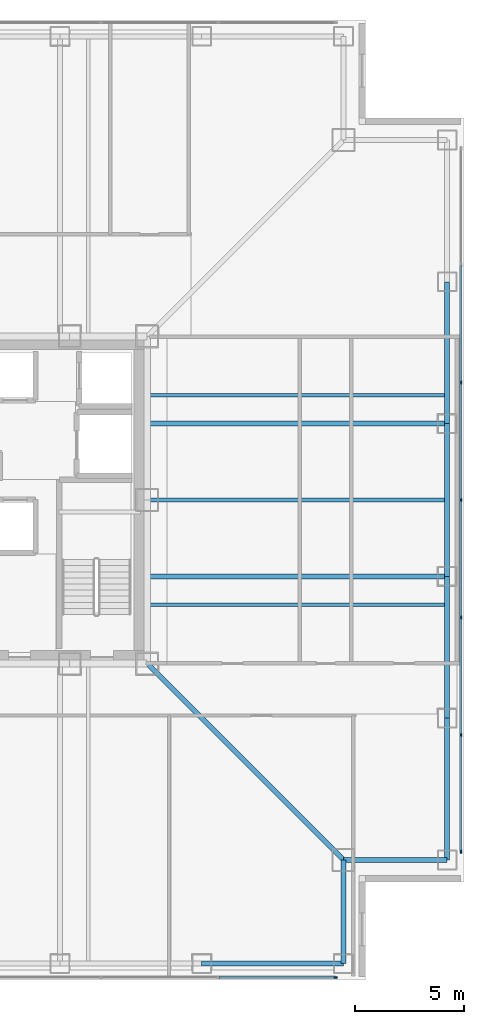
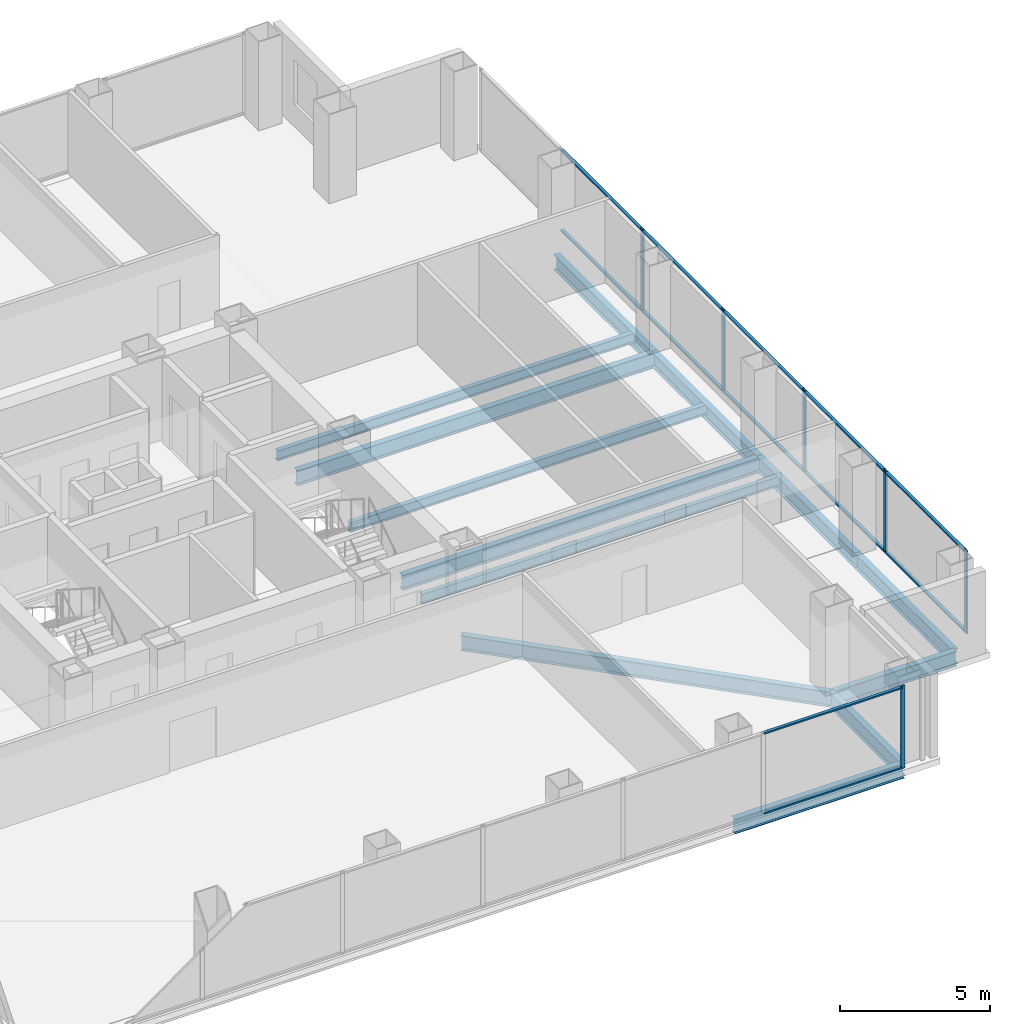
# One storey, part 6 of 14: 18 members, 13 beams, 2 elements without a shape of their own.
"""IFC4 building model written with IfcOpenShell, lengths in metres."""

from ifc_helpers import new_model, si_unit, direction, frame, origin, origin_2d, place, context, subcontext, project, spatial, rectangle, i_section, extrude, material, layer, layer_set, material_profile, profile_set, type_object, element, aggregate, save


model = new_model("IFC4")

# Units and contexts
model_context = context("Model", 3, precision=1e-05, world=origin(), true_north=direction((0.0, 1.0)))
body_context = subcontext(model_context, "Body", "Model", "MODEL_VIEW")
ifc_project = project(units=[si_unit("LENGTHUNIT", "METRE"), si_unit("AREAUNIT", "SQUARE_METRE"), si_unit("VOLUMEUNIT", "CUBIC_METRE"), si_unit("PLANEANGLEUNIT", "RADIAN"), si_unit("MASSUNIT", "GRAM", prefix="KILO")], contexts=[model_context])

# Site, building, storey
site_placement = place(None, origin())
site = spatial("IfcSite", under=ifc_project, at=site_placement, CompositionType="ELEMENT")
building_placement = place(site_placement, origin())
building = spatial("IfcBuilding", under=site, at=building_placement, Name="Trevonay Congress Spire", CompositionType="ELEMENT")
storey_placement = place(building_placement, frame((0.0, 0.0, 140.800048828125)))
storey = spatial("IfcBuildingStorey", under=building, at=storey_placement, Name="L36", CompositionType="ELEMENT", Elevation=140.800048828125)

# Beams
ifc_material_1 = material(Name="Steel ASTM A572 Grade 50", Category="steel")
ifc_material_profile_1 = material_profile(ifc_material_1, i_section(OverallWidth=0.22998046875, OverallDepth=0.616943359375, WebThickness=0.01318359375, FlangeThickness=0.022216796875, FilletRadius=0.01611328125, at=origin_2d()), Name="W610x140")
ifc_profile_set_1 = profile_set([ifc_material_profile_1], Name="Steel ASTM A572 Grade 50")
beam_type_1 = type_object("IfcBeamType", Name="BM-GIRD-W610X140", PredefinedType="BEAM", material=ifc_profile_set_1)
beam_1_placement = place(storey_placement, frame((7.5, -7.5, -0.548583984375), z_axis=(0.707106781187, -0.707106781187, 0.0), x_axis=(0.707106781187, 0.707106781187, 0.0)))
element("IfcBeam", 1, at=beam_1_placement, inside=storey, type_object=beam_type_1, Name="L36 structural beam BM-L36-CDSE", PredefinedType="BEAM", context=body_context, shape_type="SweptSolid", body=[
    extrude(i_section(OverallWidth=0.22998046875, OverallDepth=0.616943359375, WebThickness=0.01318359375, FlangeThickness=0.022216796875, FilletRadius=0.01611328125, at=origin_2d()), origin(), (0.0, 0.0, 1.0), 12.72802734375),
])
for number, where, z_axis, x_axis, name in (
    (2, (7.5, -3.5, -0.548583984375), (1.0, 0.0, 0.0), (0.0, 1.0, 0.0), "L36 structural beam BM-L36-GE-M"),
    (3, (7.5, 3.5, -0.548583984375), (1.0, 0.0, 0.0), (0.0, 1.0, 0.0), "L36 structural beam BM-L36-GE-P"),
):
    element("IfcBeam", number, at=place(storey_placement, frame(where, z_axis=z_axis, x_axis=x_axis)), inside=storey, type_object=beam_type_1, Name=name, PredefinedType="BEAM", context=body_context, shape_type="SweptSolid", body=[
        extrude(i_section(OverallWidth=0.22998046875, OverallDepth=0.616943359375, WebThickness=0.01318359375, FlangeThickness=0.022216796875, FilletRadius=0.01611328125, at=origin_2d()), origin(), (0.0, 0.0, 1.0), 13.75),
    ])
ifc_material_profile_2 = material_profile(ifc_material_1, i_section(OverallWidth=0.22802734375, OverallDepth=0.60791015625, WebThickness=0.01123046875, FlangeThickness=0.017333984375, FilletRadius=0.01611328125, at=origin_2d()), Name="W610x113")
ifc_profile_set_2 = profile_set([ifc_material_profile_2], Name="Steel ASTM A572 Grade 50")
beam_type_2 = type_object("IfcBeamType", Name="BM-RING-W610X113", PredefinedType="BEAM", material=ifc_profile_set_2)
for number, where, z_axis, x_axis, name in (
    (4, (21.25, -16.5, -0.5439453125), (0.0, 1.0, 0.0), (-1.0, 0.0, 0.0), "L36 structural beam BM-L36-PE1"),
    (5, (21.25, -10.0, -0.5439453125), (0.0, 1.0, 0.0), (-1.0, 0.0, 0.0), "L36 structural beam BM-L36-PE2"),
):
    element("IfcBeam", number, at=place(storey_placement, frame(where, z_axis=z_axis, x_axis=x_axis)), inside=storey, type_object=beam_type_2, Name=name, PredefinedType="BEAM", context=body_context, shape_type="SweptSolid", body=[
        extrude(i_section(OverallWidth=0.22802734375, OverallDepth=0.60791015625, WebThickness=0.01123046875, FlangeThickness=0.017333984375, FilletRadius=0.01611328125, at=origin_2d()), origin(), (0.0, 0.0, 1.0), 6.5),
    ])
beam_2_placement = place(storey_placement, frame((21.25, -3.5, -0.5439453125), z_axis=(0.0, 1.0, 0.0), x_axis=(-1.0, 0.0, 0.0)))
element("IfcBeam", 6, at=beam_2_placement, inside=storey, type_object=beam_type_2, Name="L36 structural beam BM-L36-PE3", PredefinedType="BEAM", context=body_context, shape_type="SweptSolid", body=[
    extrude(i_section(OverallWidth=0.22802734375, OverallDepth=0.60791015625, WebThickness=0.01123046875, FlangeThickness=0.017333984375, FilletRadius=0.01611328125, at=origin_2d()), origin(), (0.0, 0.0, 1.0), 7.0),
])
for number, where, z_axis, x_axis, name in (
    (7, (21.25, 3.5, -0.5439453125), (0.0, 1.0, 0.0), (-1.0, 0.0, 0.0), "L36 structural beam BM-L36-PE4"),
    (8, (10.0, -21.25, -0.5439453125), (1.0, 0.0, 0.0), (0.0, 1.0, 0.0), "L36 structural beam BM-L36-PS5"),
):
    element("IfcBeam", number, at=place(storey_placement, frame(where, z_axis=z_axis, x_axis=x_axis)), inside=storey, type_object=beam_type_2, Name=name, PredefinedType="BEAM", context=body_context, shape_type="SweptSolid", body=[
        extrude(i_section(OverallWidth=0.22802734375, OverallDepth=0.60791015625, WebThickness=0.01123046875, FlangeThickness=0.017333984375, FilletRadius=0.01611328125, at=origin_2d()), origin(), (0.0, 0.0, 1.0), 6.5),
    ])
for number, where, z_axis, x_axis, name in (
    (9, (16.5, -21.25, -0.5439453125), (0.0, 1.0, 0.0), (-1.0, 0.0, 0.0), "L36 structural beam BM-L36-N1SE"),
    (10, (21.25, -16.5, -0.5439453125), (-1.0, 0.0, 0.0), (0.0, -1.0, 0.0), "L36 structural beam BM-L36-N2SE"),
):
    element("IfcBeam", number, at=place(storey_placement, frame(where, z_axis=z_axis, x_axis=x_axis)), inside=storey, type_object=beam_type_2, Name=name, PredefinedType="BEAM", context=body_context, shape_type="SweptSolid", body=[
        extrude(i_section(OverallWidth=0.22802734375, OverallDepth=0.60791015625, WebThickness=0.01123046875, FlangeThickness=0.017333984375, FilletRadius=0.01611328125, at=origin_2d()), origin(), (0.0, 0.0, 1.0), 4.75),
    ])

# Curtain wall, member
ifc_material_2 = material(Name="Pale Anodised Aluminium EN AW-6063-T6", Category="aluminium")
ifc_layer = layer(ifc_material_2, 0.175048828125, Name="Pale Anodised Aluminium EN AW-6063-T6")
ifc_layer_set = layer_set([ifc_layer], Name="Pale Anodised Aluminium EN AW-6063-T6")
curtain_wall_type = type_object("IfcCurtainWallType", Name="CW-SYS03-CONGRESS-PALE-METAL", PredefinedType="NOTDEFINED", material=ifc_layer_set)
curtain_wall_1_placement = place(storey_placement, origin())
curtain_wall_1 = element("IfcCurtainWall", 11, at=curtain_wall_1_placement, inside=storey, type_object=curtain_wall_type, Name="L36 S unitised curtain wall", PredefinedType="NOTDEFINED")
ifc_material_profile_3 = material_profile(ifc_material_2, rectangle(XDim=0.06005859375, YDim=0.159912109375, at=origin_2d()), Name="CW-MULLION-160-ALUMINIUM")
ifc_profile_set_3 = profile_set([ifc_material_profile_3], Name="Pale Anodised Aluminium EN AW-6063-T6")
member_type_1 = type_object("IfcMemberType", Name="CW-MULLION-160-ALUMINIUM", PredefinedType="MULLION", material=ifc_profile_set_3)
member_1_placement = place(storey_placement, frame((16.1201171875, -21.8798828125, 0.0), z_axis=(0.0, 0.0, 1.0), x_axis=(0.0, 1.0, 0.0)))
member_1 = element("IfcMember", 12, at=member_1_placement, type_object=member_type_1, Name="CW03 mullion 7", PredefinedType="MULLION", context=body_context, shape_type="SweptSolid", body=[
    extrude(rectangle(XDim=0.06005859375, YDim=0.159912109375, at=origin_2d()), origin(), (0.0, 0.0, 1.0), 3.35986328125),
])

# Curtain wall, members
curtain_wall_2_placement = place(storey_placement, origin())
curtain_wall_2 = element("IfcCurtainWall", 13, at=curtain_wall_2_placement, inside=storey, type_object=curtain_wall_type, Name="L36 E unitised curtain wall", PredefinedType="NOTDEFINED")
member_2_placement = place(storey_placement, frame((21.8798828125, -16.1201171875, 0.0), z_axis=(0.0, 0.0, 1.0), x_axis=(-1.0, 0.0, 0.0)))
member_2 = element("IfcMember", 14, at=member_2_placement, type_object=member_type_1, Name="CW03 mullion 1", PredefinedType="MULLION", context=body_context, shape_type="SweptSolid", body=[
    extrude(rectangle(XDim=0.06005859375, YDim=0.159912109375, at=origin_2d()), origin(), (0.0, 0.0, 1.0), 3.35986328125),
])
member_3_placement = place(storey_placement, frame((21.8798828125, -10.7666015625, 0.0), z_axis=(0.0, 0.0, 1.0), x_axis=(-1.0, 0.0, 0.0)))
member_3 = element("IfcMember", 15, at=member_3_placement, type_object=member_type_1, Name="CW03 mullion 2", PredefinedType="MULLION", context=body_context, shape_type="SweptSolid", body=[
    extrude(rectangle(XDim=0.06005859375, YDim=0.159912109375, at=origin_2d()), origin(), (0.0, 0.0, 1.0), 3.35986328125),
])
member_4_placement = place(storey_placement, frame((21.8798828125, -5.38330078125, 0.0), z_axis=(0.0, 0.0, 1.0), x_axis=(-1.0, 0.0, 0.0)))
member_4 = element("IfcMember", 16, at=member_4_placement, type_object=member_type_1, Name="CW03 mullion 3", PredefinedType="MULLION", context=body_context, shape_type="SweptSolid", body=[
    extrude(rectangle(XDim=0.06005859375, YDim=0.159912109375, at=origin_2d()), origin(), (0.0, 0.0, 1.0), 3.35986328125),
])
member_5_placement = place(storey_placement, frame((21.8798828125, 0.0, 0.0), z_axis=(0.0, 0.0, 1.0), x_axis=(-1.0, 0.0, 0.0)))
member_5 = element("IfcMember", 17, at=member_5_placement, type_object=member_type_1, Name="CW03 mullion 4", PredefinedType="MULLION", context=body_context, shape_type="SweptSolid", body=[
    extrude(rectangle(XDim=0.06005859375, YDim=0.159912109375, at=origin_2d()), origin(), (0.0, 0.0, 1.0), 3.35986328125),
])
member_6_placement = place(storey_placement, frame((21.8798828125, 5.38330078125, 0.0), z_axis=(0.0, 0.0, 1.0), x_axis=(-1.0, 0.0, 0.0)))
member_6 = element("IfcMember", 18, at=member_6_placement, type_object=member_type_1, Name="CW03 mullion 5", PredefinedType="MULLION", context=body_context, shape_type="SweptSolid", body=[
    extrude(rectangle(XDim=0.06005859375, YDim=0.159912109375, at=origin_2d()), origin(), (0.0, 0.0, 1.0), 3.35986328125),
])

# Member
ifc_material_profile_4 = material_profile(ifc_material_2, rectangle(XDim=0.1201171875, YDim=0.06005859375, at=origin_2d()), Name="CW-TRANSOM-120-ALUMINIUM")
ifc_profile_set_4 = profile_set([ifc_material_profile_4], Name="Pale Anodised Aluminium EN AW-6063-T6")
member_type_2 = type_object("IfcMemberType", Name="CW-TRANSOM-120-ALUMINIUM", PredefinedType="USERDEFINED", material=ifc_profile_set_4)
member_7_placement = place(storey_placement, frame((10.796630859375, -21.8798828125, 0.06005859375), z_axis=(1.0, 0.0, 0.0), x_axis=(0.0, 1.0, 0.0)))
member_7 = element("IfcMember", 19, at=member_7_placement, type_object=member_type_2, Name="CW03 transom 6.1", ObjectType="TRANSOM", PredefinedType="USERDEFINED", context=body_context, shape_type="SweptSolid", body=[
    extrude(rectangle(XDim=0.1201171875, YDim=0.06005859375, at=origin_2d()), origin(), (0.0, 0.0, 1.0), 5.29345703125),
])

member_8_placement = place(storey_placement, frame((10.796630859375, -21.8798828125, 3.300048828125), z_axis=(1.0, 0.0, 0.0), x_axis=(0.0, 1.0, 0.0)))
member_8 = element("IfcMember", 20, at=member_8_placement, type_object=member_type_2, Name="CW03 transom 6.2", ObjectType="TRANSOM", PredefinedType="USERDEFINED", context=body_context, shape_type="SweptSolid", body=[
    extrude(rectangle(XDim=0.1201171875, YDim=0.06005859375, at=origin_2d()), origin(), (0.0, 0.0, 1.0), 5.29345703125),
])

aggregate(curtain_wall_1, [member_1, member_7, member_8])

member_9_placement = place(storey_placement, frame((21.8798828125, -16.090087890625, 0.06005859375), z_axis=(0.0, 1.0, 0.0), x_axis=(-1.0, 0.0, 0.0)))
member_9 = element("IfcMember", 21, at=member_9_placement, type_object=member_type_2, Name="CW03 transom 1.1", ObjectType="TRANSOM", PredefinedType="USERDEFINED", context=body_context, shape_type="SweptSolid", body=[
    extrude(rectangle(XDim=0.1201171875, YDim=0.06005859375, at=origin_2d()), origin(), (0.0, 0.0, 1.0), 5.29345703125),
])

member_10_placement = place(storey_placement, frame((21.8798828125, -16.090087890625, 3.300048828125), z_axis=(0.0, 1.0, 0.0), x_axis=(-1.0, 0.0, 0.0)))
member_10 = element("IfcMember", 22, at=member_10_placement, type_object=member_type_2, Name="CW03 transom 1.2", ObjectType="TRANSOM", PredefinedType="USERDEFINED", context=body_context, shape_type="SweptSolid", body=[
    extrude(rectangle(XDim=0.1201171875, YDim=0.06005859375, at=origin_2d()), origin(), (0.0, 0.0, 1.0), 5.29345703125),
])

member_11_placement = place(storey_placement, frame((21.8798828125, -10.736572265625, 0.06005859375), z_axis=(0.0, 1.0, 0.0), x_axis=(-1.0, 0.0, 0.0)))
member_11 = element("IfcMember", 23, at=member_11_placement, type_object=member_type_2, Name="CW03 transom 2.1", ObjectType="TRANSOM", PredefinedType="USERDEFINED", context=body_context, shape_type="SweptSolid", body=[
    extrude(rectangle(XDim=0.1201171875, YDim=0.06005859375, at=origin_2d()), origin(), (0.0, 0.0, 1.0), 5.3232421875),
])

member_12_placement = place(storey_placement, frame((21.8798828125, -10.736572265625, 3.300048828125), z_axis=(0.0, 1.0, 0.0), x_axis=(-1.0, 0.0, 0.0)))
member_12 = element("IfcMember", 24, at=member_12_placement, type_object=member_type_2, Name="CW03 transom 2.2", ObjectType="TRANSOM", PredefinedType="USERDEFINED", context=body_context, shape_type="SweptSolid", body=[
    extrude(rectangle(XDim=0.1201171875, YDim=0.06005859375, at=origin_2d()), origin(), (0.0, 0.0, 1.0), 5.3232421875),
])

member_13_placement = place(storey_placement, frame((21.8798828125, -5.353271484375, 0.06005859375), z_axis=(0.0, 1.0, 0.0), x_axis=(-1.0, 0.0, 0.0)))
member_13 = element("IfcMember", 25, at=member_13_placement, type_object=member_type_2, Name="CW03 transom 3.1", ObjectType="TRANSOM", PredefinedType="USERDEFINED", context=body_context, shape_type="SweptSolid", body=[
    extrude(rectangle(XDim=0.1201171875, YDim=0.06005859375, at=origin_2d()), origin(), (0.0, 0.0, 1.0), 5.3232421875),
])

member_14_placement = place(storey_placement, frame((21.8798828125, -5.353271484375, 3.300048828125), z_axis=(0.0, 1.0, 0.0), x_axis=(-1.0, 0.0, 0.0)))
member_14 = element("IfcMember", 26, at=member_14_placement, type_object=member_type_2, Name="CW03 transom 3.2", ObjectType="TRANSOM", PredefinedType="USERDEFINED", context=body_context, shape_type="SweptSolid", body=[
    extrude(rectangle(XDim=0.1201171875, YDim=0.06005859375, at=origin_2d()), origin(), (0.0, 0.0, 1.0), 5.3232421875),
])

member_15_placement = place(storey_placement, frame((21.8798828125, 0.030029296875, 0.06005859375), z_axis=(0.0, 1.0, 0.0), x_axis=(-1.0, 0.0, 0.0)))
member_15 = element("IfcMember", 27, at=member_15_placement, type_object=member_type_2, Name="CW03 transom 4.1", ObjectType="TRANSOM", PredefinedType="USERDEFINED", context=body_context, shape_type="SweptSolid", body=[
    extrude(rectangle(XDim=0.1201171875, YDim=0.06005859375, at=origin_2d()), origin(), (0.0, 0.0, 1.0), 5.3232421875),
])

member_16_placement = place(storey_placement, frame((21.8798828125, 0.030029296875, 3.300048828125), z_axis=(0.0, 1.0, 0.0), x_axis=(-1.0, 0.0, 0.0)))
member_16 = element("IfcMember", 28, at=member_16_placement, type_object=member_type_2, Name="CW03 transom 4.2", ObjectType="TRANSOM", PredefinedType="USERDEFINED", context=body_context, shape_type="SweptSolid", body=[
    extrude(rectangle(XDim=0.1201171875, YDim=0.06005859375, at=origin_2d()), origin(), (0.0, 0.0, 1.0), 5.3232421875),
])

member_17_placement = place(storey_placement, frame((21.8798828125, 5.413330078125, 0.06005859375), z_axis=(0.0, 1.0, 0.0), x_axis=(-1.0, 0.0, 0.0)))
member_17 = element("IfcMember", 29, at=member_17_placement, type_object=member_type_2, Name="CW03 transom 5.1", ObjectType="TRANSOM", PredefinedType="USERDEFINED", context=body_context, shape_type="SweptSolid", body=[
    extrude(rectangle(XDim=0.1201171875, YDim=0.06005859375, at=origin_2d()), origin(), (0.0, 0.0, 1.0), 5.3232421875),
])

member_18_placement = place(storey_placement, frame((21.8798828125, 5.413330078125, 3.300048828125), z_axis=(0.0, 1.0, 0.0), x_axis=(-1.0, 0.0, 0.0)))
member_18 = element("IfcMember", 30, at=member_18_placement, type_object=member_type_2, Name="CW03 transom 5.2", ObjectType="TRANSOM", PredefinedType="USERDEFINED", context=body_context, shape_type="SweptSolid", body=[
    extrude(rectangle(XDim=0.1201171875, YDim=0.06005859375, at=origin_2d()), origin(), (0.0, 0.0, 1.0), 5.3232421875),
])

aggregate(curtain_wall_2, [member_2, member_3, member_4, member_5, member_6, member_9, member_10, member_11, member_12, member_13, member_14, member_15, member_16, member_17, member_18])

# Beams
ifc_material_profile_5 = material_profile(ifc_material_1, i_section(OverallWidth=0.177978515625, OverallDepth=0.406982421875, WebThickness=0.0078125, FlangeThickness=0.0126953125, FilletRadius=0.012939453125, at=origin_2d()), Name="W410x60")
ifc_profile_set_5 = profile_set([ifc_material_profile_5], Name="Steel ASTM A572 Grade 50")
beam_type_3 = type_object("IfcBeamType", Name="JS-COMP-W410X60", PredefinedType="JOIST", material=ifc_profile_set_5)
for number, where, z_axis, x_axis, name in (
    (31, (7.5, -4.800048828125, -0.443603515625), (1.0, 0.0, 0.0), (0.0, 1.0, 0.0), "L36 structural beam JS-L36-EW-E1"),
    (32, (7.5, 0.0, -0.443603515625), (1.0, 0.0, 0.0), (0.0, 1.0, 0.0), "L36 structural beam JS-L36-EW-E2"),
    (33, (7.5, 4.800048828125, -0.443603515625), (1.0, 0.0, 0.0), (0.0, 1.0, 0.0), "L36 structural beam JS-L36-EW-E3"),
):
    element("IfcBeam", number, at=place(storey_placement, frame(where, z_axis=z_axis, x_axis=x_axis)), inside=storey, type_object=beam_type_3, Name=name, PredefinedType="JOIST", context=body_context, shape_type="SweptSolid", body=[
        extrude(i_section(OverallWidth=0.177978515625, OverallDepth=0.406982421875, WebThickness=0.0078125, FlangeThickness=0.0126953125, FilletRadius=0.012939453125, at=origin_2d()), origin(), (0.0, 0.0, 1.0), 13.75),
    ])

save(model, "model.ifc")
